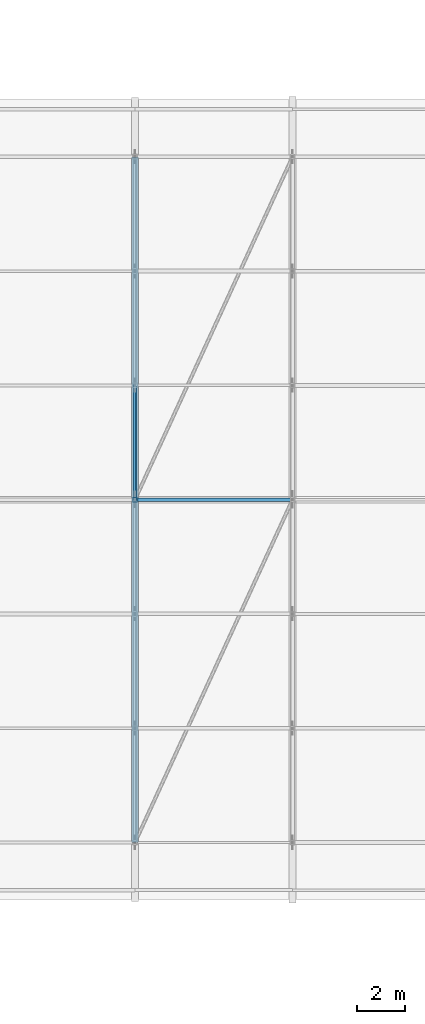
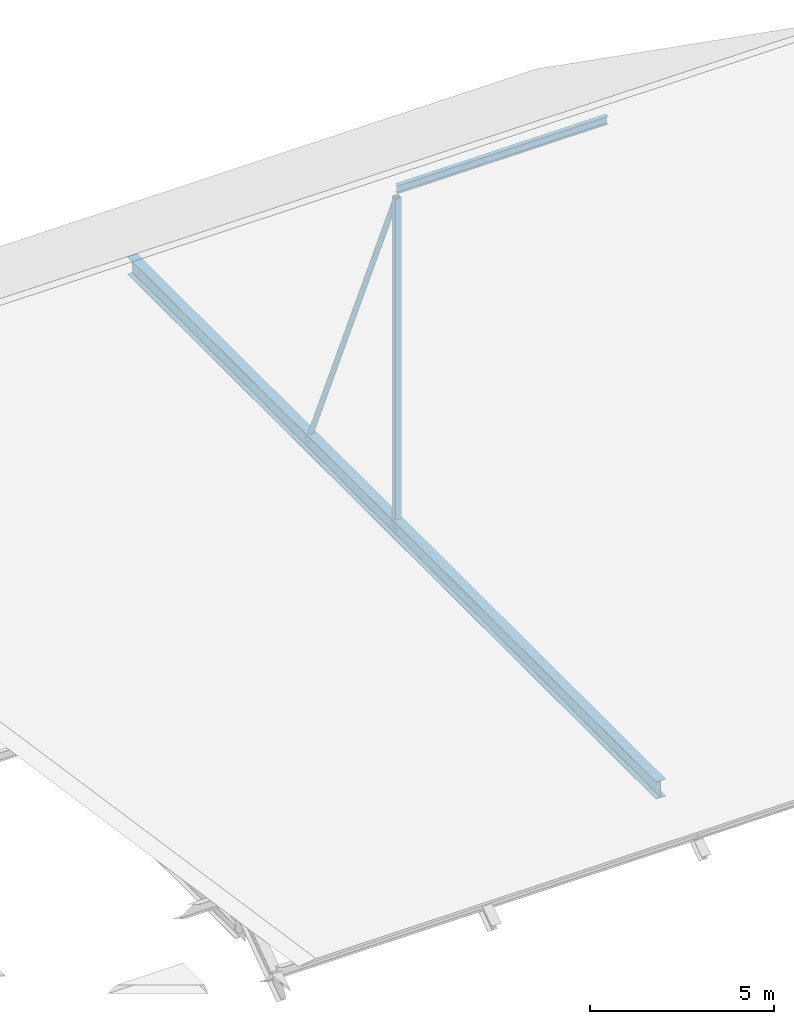
# One storey, part 76 of 134: 4 members.
"""IFC4 building model written with IfcOpenShell, lengths in metres."""

from ifc_helpers import new_model, si_unit, direction, frame, origin, origin_2d, place, context, subcontext, project, spatial, hollow_rectangle, hollow_circle, i_section, extrude, material, material_profile, profile_set, type_object, element, save


model = new_model("IFC4")

# Units and contexts
model_context = context("Model", 3, precision=1e-05, world=origin(), true_north=direction((0.0, 1.0)))
body_context = subcontext(model_context, "Body", "Model", "MODEL_VIEW")
ifc_project = project(units=[si_unit("LENGTHUNIT", "METRE"), si_unit("AREAUNIT", "SQUARE_METRE"), si_unit("VOLUMEUNIT", "CUBIC_METRE"), si_unit("PLANEANGLEUNIT", "RADIAN"), si_unit("MASSUNIT", "GRAM", prefix="KILO")], contexts=[model_context])

# Site, building, storey
site_placement = place(None, origin())
site = spatial("IfcSite", under=ifc_project, at=site_placement, CompositionType="ELEMENT")
building_placement = place(site_placement, origin())
building = spatial("IfcBuilding", under=site, at=building_placement, Name="Asteropetra Specialist Clinic", CompositionType="ELEMENT")
storey_placement = place(building_placement, frame((0.0, 0.0, 8.5)))
storey = spatial("IfcBuildingStorey", under=building, at=storey_placement, Name="L02", CompositionType="ELEMENT", Elevation=8.5)

# Members
ifc_material_1 = material(Name="Steel S355", Category="steel")
ifc_material_profile_1 = material_profile(ifc_material_1, hollow_circle(Radius=0.084228515625, WallThickness=0.008056640625, at=origin_2d()), Name="CHS 168.3x8.0")
ifc_profile_set_1 = profile_set([ifc_material_profile_1], Name="Steel S355")
member_type_1 = type_object("IfcMemberType", Name="TR-BRC-CHS168", PredefinedType="BRACE", material=ifc_profile_set_1)
member_1_placement = place(storey_placement, frame((139.860107421875, 91.199951171875, 11.4609375), z_axis=(0.0, 0.400994294125, -0.916080551087), x_axis=(-1.0, 0.0, 0.0)))
element("IfcMember", 1, at=member_1_placement, inside=storey, type_object=member_type_1, Name="Truss Web Diagonal TRV1-D09-3", PredefinedType="BRACE", context=body_context, shape_type="SweptSolid", body=[
    extrude(hollow_circle(Radius=0.084228515625, WallThickness=0.008056640625, at=origin_2d()), origin(), (0.0, 0.0, 1.0), 11.970458984375),
])
ifc_material_2 = material(Name="Steel S355", Category="steel")
ifc_material_profile_2 = material_profile(ifc_material_2, i_section(OverallWidth=0.300048828125, OverallDepth=0.590087890625, WebThickness=0.012939453125, FlangeThickness=0.02490234375, FilletRadius=0.027099609375, at=origin_2d()), Name="HEA 600")
ifc_profile_set_2 = profile_set([ifc_material_profile_2], Name="Steel S355")
member_type_2 = type_object("IfcMemberType", Name="TR-CHD-HEA600", PredefinedType="CHORD", material=ifc_profile_set_2)
member_2_placement = place(storey_placement, frame((139.860107421875, 76.800048828125, 0.4951171875), z_axis=(0.0, 1.0, 0.0), x_axis=(-1.0, 0.0, 0.0)))
element("IfcMember", 2, at=member_2_placement, inside=storey, type_object=member_type_2, Name="Truss Bottom Chord TRV1-BC09", PredefinedType="CHORD", context=body_context, shape_type="SweptSolid", body=[
    extrude(i_section(OverallWidth=0.300048828125, OverallDepth=0.590087890625, WebThickness=0.012939453125, FlangeThickness=0.02490234375, FilletRadius=0.027099609375, at=origin_2d()), origin(), (0.0, 0.0, 1.0), 28.800048828125),
])
ifc_material_3 = material(Name="Steel S355", Category="steel")
ifc_material_profile_3 = material_profile(ifc_material_3, i_section(OverallWidth=0.135009765625, OverallDepth=0.27001953125, WebThickness=0.006591796875, FlangeThickness=0.01025390625, FilletRadius=0.014892578125, at=origin_2d()), Name="IPE 270")
ifc_profile_set_3 = profile_set([ifc_material_profile_3], Name="Steel S355")
member_type_3 = type_object("IfcMemberType", Name="TR-PUR-IPE270", PredefinedType="PURLIN", material=ifc_profile_set_3)
member_3_placement = place(storey_placement, frame((139.860107421875, 91.199951171875, 11.73095703125), z_axis=(1.0, 0.0, 0.0), x_axis=(0.0, 1.0, 0.0)))
element("IfcMember", 3, at=member_3_placement, inside=storey, type_object=member_type_3, Name="Roof Purlin TRV1-P09-05", PredefinedType="PURLIN", context=body_context, shape_type="SweptSolid", body=[
    extrude(i_section(OverallWidth=0.135009765625, OverallDepth=0.27001953125, WebThickness=0.006591796875, FlangeThickness=0.01025390625, FilletRadius=0.014892578125, at=origin_2d()), origin(), (0.0, 0.0, 1.0), 6.619873046875),
])
ifc_material_4 = material(Name="Steel S355", Category="steel")
ifc_material_profile_4 = material_profile(ifc_material_4, hollow_rectangle(XDim=0.199951171875, YDim=0.199951171875, WallThickness=0.010009765625, InnerFilletRadius=0.008056640625, OuterFilletRadius=0.01611328125, at=origin_2d()), Name="SHS 200x200x10.0")
ifc_profile_set_4 = profile_set([ifc_material_profile_4], Name="Steel S355")
member_type_4 = type_object("IfcMemberType", Name="TR-STR-SHS200", PredefinedType="STRUT", material=ifc_profile_set_4)
member_4_placement = place(storey_placement, frame((139.860107421875, 91.199951171875, 0.4951171875), z_axis=(0.0, 0.0, 1.0), x_axis=(1.0, 0.0, 0.0)))
element("IfcMember", 4, at=member_4_placement, inside=storey, type_object=member_type_4, Name="Truss Web Strut TRV1-V09-3", PredefinedType="STRUT", context=body_context, shape_type="SweptSolid", body=[
    extrude(hollow_rectangle(XDim=0.199951171875, YDim=0.199951171875, WallThickness=0.010009765625, InnerFilletRadius=0.008056640625, OuterFilletRadius=0.01611328125, at=origin_2d()), origin(), (0.0, 0.0, 1.0), 10.9658203125),
])

save(model, "model.ifc")
